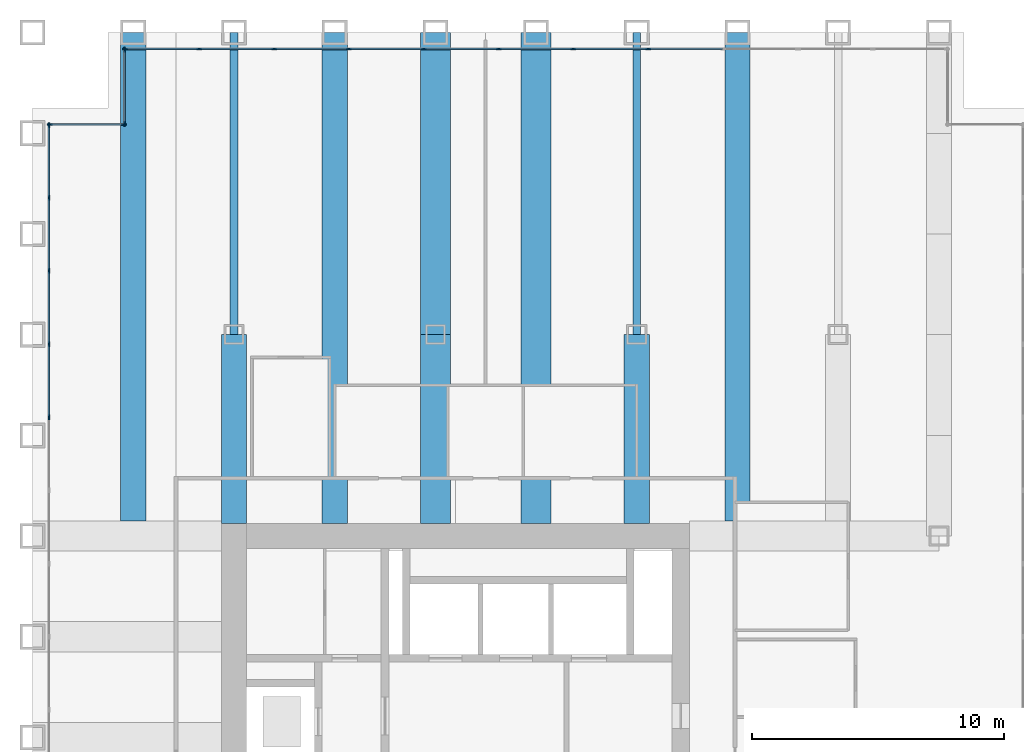
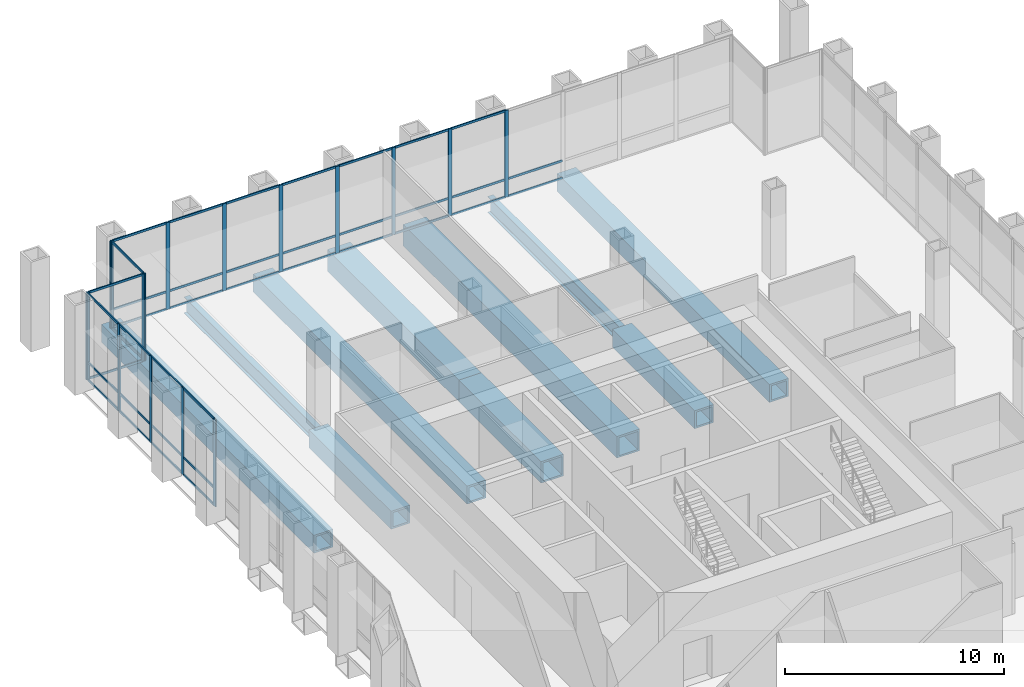
# One storey, part 6 of 13: 56 members, 10 beams, 4 elements without a shape of their own.
"""IFC4 building model written with IfcOpenShell, lengths in metres."""

from ifc_helpers import new_model, si_unit, direction, frame, origin, origin_2d, place, context, subcontext, project, spatial, rectangle, hollow_rectangle, i_section, extrude, material, material_profile, profile_set, type_object, element, aggregate, save


model = new_model("IFC4")

# Units and contexts
model_context = context("Model", 3, precision=1e-05, world=origin(), true_north=direction((0.0, 1.0)))
body_context = subcontext(model_context, "Body", "Model", "MODEL_VIEW")
ifc_project = project(units=[si_unit("LENGTHUNIT", "METRE"), si_unit("AREAUNIT", "SQUARE_METRE"), si_unit("VOLUMEUNIT", "CUBIC_METRE"), si_unit("PLANEANGLEUNIT", "RADIAN"), si_unit("MASSUNIT", "GRAM", prefix="KILO")], contexts=[model_context])

# Site, building, storey
site_placement = place(None, origin())
site = spatial("IfcSite", under=ifc_project, at=site_placement, CompositionType="ELEMENT")
building_placement = place(site_placement, origin())
building = spatial("IfcBuilding", under=site, at=building_placement, Name="Rimbunsela Tower", CompositionType="ELEMENT")
storey_placement = place(building_placement, frame((0.0, 0.0, 209.199951171875)))
storey = spatial("IfcBuildingStorey", under=building, at=storey_placement, Name="L50", CompositionType="ELEMENT", Elevation=209.199951171875)

# Beams
ifc_material_1 = material(Name="Steel BJ 55 (fy 410 MPa)", Category="steel")
ifc_material_profile_1 = material_profile(ifc_material_1, hollow_rectangle(XDim=1.0, YDim=1.0, WallThickness=0.10009765625, at=origin_2d()), Name="BOX 1000x1000x100")
ifc_profile_set_1 = profile_set([ifc_material_profile_1], Name="Steel BJ 55 (fy 410 MPa)")
beam_type_1 = type_object("IfcBeamType", Name="Beam BOX 1000x1000x100", PredefinedType="BEAM", material=ifc_profile_set_1)
beam_1_placement = place(storey_placement, frame((14.0, 36.60009765625, -0.64990234375), z_axis=(0.0, 1.0, 0.0), x_axis=(-1.0, 0.0, 0.0)))
element("IfcBeam", 1, at=beam_1_placement, inside=storey, type_object=beam_type_1, Name="Beam B3 L50", PredefinedType="BEAM", context=body_context, shape_type="SweptSolid", body=[
    extrude(hollow_rectangle(XDim=1.0, YDim=1.0, WallThickness=0.10009765625, at=origin_2d()), origin(), (0.0, 0.0, 1.0), 19.39990234375),
])
beam_2_placement = place(storey_placement, frame((18.0, 36.5, -0.64990234375), z_axis=(0.0, 1.0, 0.0), x_axis=(-1.0, 0.0, 0.0)))
element("IfcBeam", 2, at=beam_2_placement, inside=storey, type_object=beam_type_1, Name="Beam B3 L50", PredefinedType="BEAM", context=body_context, shape_type="SweptSolid", body=[
    extrude(hollow_rectangle(XDim=1.0, YDim=1.0, WallThickness=0.10009765625, at=origin_2d()), origin(), (0.0, 0.0, 1.0), 7.5),
])
beam_3_placement = place(storey_placement, frame((22.0, 36.5, -0.64990234375), z_axis=(0.0, 1.0, 0.0), x_axis=(-1.0, 0.0, 0.0)))
element("IfcBeam", 3, at=beam_3_placement, inside=storey, type_object=beam_type_1, Name="Beam B3 L50", PredefinedType="BEAM", context=body_context, shape_type="SweptSolid", body=[
    extrude(hollow_rectangle(XDim=1.0, YDim=1.0, WallThickness=0.10009765625, at=origin_2d()), origin(), (0.0, 0.0, 1.0), 19.5),
])
beam_4_placement = place(storey_placement, frame((34.0, 36.5, -0.64990234375), z_axis=(0.0, 1.0, 0.0), x_axis=(-1.0, 0.0, 0.0)))
element("IfcBeam", 4, at=beam_4_placement, inside=storey, type_object=beam_type_1, Name="Beam B3 L50", PredefinedType="BEAM", context=body_context, shape_type="SweptSolid", body=[
    extrude(hollow_rectangle(XDim=1.0, YDim=1.0, WallThickness=0.10009765625, at=origin_2d()), origin(), (0.0, 0.0, 1.0), 7.5),
])
beam_5_placement = place(storey_placement, frame((38.0, 36.60009765625, -0.64990234375), z_axis=(0.0, 1.0, 0.0), x_axis=(-1.0, 0.0, 0.0)))
element("IfcBeam", 5, at=beam_5_placement, inside=storey, type_object=beam_type_1, Name="Beam B3 L50", PredefinedType="BEAM", context=body_context, shape_type="SweptSolid", body=[
    extrude(hollow_rectangle(XDim=1.0, YDim=1.0, WallThickness=0.10009765625, at=origin_2d()), origin(), (0.0, 0.0, 1.0), 19.39990234375),
])
ifc_material_2 = material(Name="Steel BJ 55 (fy 410 MPa)", Category="steel")
ifc_material_profile_2 = material_profile(ifc_material_2, hollow_rectangle(XDim=1.199951171875, YDim=1.199951171875, WallThickness=0.10009765625, at=origin_2d()), Name="BOX 1200x1200x100")
ifc_profile_set_2 = profile_set([ifc_material_profile_2], Name="Steel BJ 55 (fy 410 MPa)")
beam_type_2 = type_object("IfcBeamType", Name="Beam BOX 1200x1200x100", PredefinedType="BEAM", material=ifc_profile_set_2)
beam_6_placement = place(storey_placement, frame((26.0, 36.5, -0.75), z_axis=(0.0, 1.0, 0.0), x_axis=(-1.0, 0.0, 0.0)))
element("IfcBeam", 6, at=beam_6_placement, inside=storey, type_object=beam_type_2, Name="Beam B5 L50", PredefinedType="BEAM", context=body_context, shape_type="SweptSolid", body=[
    extrude(hollow_rectangle(XDim=1.199951171875, YDim=1.199951171875, WallThickness=0.10009765625, at=origin_2d()), origin(), (0.0, 0.0, 1.0), 7.5),
])
beam_7_placement = place(storey_placement, frame((26.0, 44.0, -0.75), z_axis=(0.0, 1.0, 0.0), x_axis=(-1.0, 0.0, 0.0)))
element("IfcBeam", 7, at=beam_7_placement, inside=storey, type_object=beam_type_2, Name="Beam B5 L50", PredefinedType="BEAM", context=body_context, shape_type="SweptSolid", body=[
    extrude(hollow_rectangle(XDim=1.199951171875, YDim=1.199951171875, WallThickness=0.10009765625, at=origin_2d()), origin(), (0.0, 0.0, 1.0), 12.0),
])
beam_8_placement = place(storey_placement, frame((30.0, 36.5, -0.75), z_axis=(0.0, 1.0, 0.0), x_axis=(-1.0, 0.0, 0.0)))
element("IfcBeam", 8, at=beam_8_placement, inside=storey, type_object=beam_type_2, Name="Beam B5 L50", PredefinedType="BEAM", context=body_context, shape_type="SweptSolid", body=[
    extrude(hollow_rectangle(XDim=1.199951171875, YDim=1.199951171875, WallThickness=0.10009765625, at=origin_2d()), origin(), (0.0, 0.0, 1.0), 19.5),
])
ifc_material_3 = material(Name="Steel BJ 55 (fy 410 MPa)", Category="steel")
ifc_material_profile_3 = material_profile(ifc_material_3, i_section(OverallWidth=0.300048828125, OverallDepth=0.89990234375, WebThickness=0.01611328125, FlangeThickness=0.028076171875, FilletRadius=0.028076171875, at=origin_2d()), Name="H 900x300x16x28")
ifc_profile_set_3 = profile_set([ifc_material_profile_3], Name="Steel BJ 55 (fy 410 MPa)")
beam_type_3 = type_object("IfcBeamType", Name="Beam H 900x300x16x28", PredefinedType="BEAM", material=ifc_profile_set_3)
for number, where, z_axis, x_axis, name in (
    (9, (18.0, 44.0, -0.599853515625), (0.0, 1.0, 0.0), (-1.0, 0.0, 0.0), "Beam B2 L50"),
    (10, (34.0, 44.0, -0.599853515625), (0.0, 1.0, 0.0), (-1.0, 0.0, 0.0), "Beam B2 L50"),
):
    element("IfcBeam", number, at=place(storey_placement, frame(where, z_axis=z_axis, x_axis=x_axis)), inside=storey, type_object=beam_type_3, Name=name, PredefinedType="BEAM", context=body_context, shape_type="SweptSolid", body=[
        extrude(i_section(OverallWidth=0.300048828125, OverallDepth=0.89990234375, WebThickness=0.01611328125, FlangeThickness=0.028076171875, FilletRadius=0.028076171875, at=origin_2d()), origin(), (0.0, 0.0, 1.0), 12.0),
    ])

# Curtain wall, members
ifc_material_4 = material(Name="Aluminium curtain wall", Category="aluminium")
curtain_wall_type_1 = type_object("IfcCurtainWallType", Name="Sky lobby glazing", PredefinedType="USERDEFINED", material=ifc_material_4)
curtain_wall_1_placement = place(storey_placement, origin())
curtain_wall_1 = element("IfcCurtainWall", 11, at=curtain_wall_1_placement, inside=storey, type_object=curtain_wall_type_1, Name="Sky lobby glazing L50", ObjectType="SKY LOBBY GLAZING", PredefinedType="USERDEFINED")
ifc_material_5 = material(Name="Aluminium mullion", Category="aluminium")
ifc_material_profile_4 = material_profile(ifc_material_5, rectangle(XDim=0.06005859375, YDim=0.199951171875, at=origin_2d()), Name="Mullion 60x200")
ifc_profile_set_4 = profile_set([ifc_material_profile_4], Name="Aluminium mullion")
member_type_1 = type_object("IfcMemberType", Name="Curtain wall mullion 60x200", PredefinedType="MULLION", material=ifc_profile_set_4)
member_1_placement = place(storey_placement, frame((34.458984375, 55.35009765625, 0.0), z_axis=(0.0, 0.0, 1.0), x_axis=(0.0, -1.0, 0.0)))
member_1 = element("IfcMember", 12, at=member_1_placement, type_object=member_type_1, Name="CW4 mullion 5", PredefinedType="MULLION", context=body_context, shape_type="SweptSolid", body=[
    extrude(rectangle(XDim=0.06005859375, YDim=0.199951171875, at=origin_2d()), origin(), (0.0, 0.0, 1.0), 4.85009765625),
])
member_2_placement = place(storey_placement, frame((31.486328125, 55.35009765625, 0.0), z_axis=(0.0, 0.0, 1.0), x_axis=(0.0, -1.0, 0.0)))
member_2 = element("IfcMember", 13, at=member_2_placement, type_object=member_type_1, Name="CW4 mullion 6", PredefinedType="MULLION", context=body_context, shape_type="SweptSolid", body=[
    extrude(rectangle(XDim=0.06005859375, YDim=0.199951171875, at=origin_2d()), origin(), (0.0, 0.0, 1.0), 4.85009765625),
])
member_3_placement = place(storey_placement, frame((28.513671875, 55.35009765625, 0.0), z_axis=(0.0, 0.0, 1.0), x_axis=(0.0, -1.0, 0.0)))
member_3 = element("IfcMember", 14, at=member_3_placement, type_object=member_type_1, Name="CW4 mullion 7", PredefinedType="MULLION", context=body_context, shape_type="SweptSolid", body=[
    extrude(rectangle(XDim=0.06005859375, YDim=0.199951171875, at=origin_2d()), origin(), (0.0, 0.0, 1.0), 4.85009765625),
])
member_4_placement = place(storey_placement, frame((25.541015625, 55.35009765625, 0.0), z_axis=(0.0, 0.0, 1.0), x_axis=(0.0, -1.0, 0.0)))
member_4 = element("IfcMember", 15, at=member_4_placement, type_object=member_type_1, Name="CW4 mullion 8", PredefinedType="MULLION", context=body_context, shape_type="SweptSolid", body=[
    extrude(rectangle(XDim=0.06005859375, YDim=0.199951171875, at=origin_2d()), origin(), (0.0, 0.0, 1.0), 4.85009765625),
])
member_5_placement = place(storey_placement, frame((22.568115234375, 55.35009765625, 0.0), z_axis=(0.0, 0.0, 1.0), x_axis=(0.0, -1.0, 0.0)))
member_5 = element("IfcMember", 16, at=member_5_placement, type_object=member_type_1, Name="CW4 mullion 9", PredefinedType="MULLION", context=body_context, shape_type="SweptSolid", body=[
    extrude(rectangle(XDim=0.06005859375, YDim=0.199951171875, at=origin_2d()), origin(), (0.0, 0.0, 1.0), 4.85009765625),
])
member_6_placement = place(storey_placement, frame((19.595458984375, 55.35009765625, 0.0), z_axis=(0.0, 0.0, 1.0), x_axis=(0.0, -1.0, 0.0)))
member_6 = element("IfcMember", 17, at=member_6_placement, type_object=member_type_1, Name="CW4 mullion 10", PredefinedType="MULLION", context=body_context, shape_type="SweptSolid", body=[
    extrude(rectangle(XDim=0.06005859375, YDim=0.199951171875, at=origin_2d()), origin(), (0.0, 0.0, 1.0), 4.85009765625),
])
member_7_placement = place(storey_placement, frame((16.622802734375, 55.35009765625, 0.0), z_axis=(0.0, 0.0, 1.0), x_axis=(0.0, -1.0, 0.0)))
member_7 = element("IfcMember", 18, at=member_7_placement, type_object=member_type_1, Name="CW4 mullion 11", PredefinedType="MULLION", context=body_context, shape_type="SweptSolid", body=[
    extrude(rectangle(XDim=0.06005859375, YDim=0.199951171875, at=origin_2d()), origin(), (0.0, 0.0, 1.0), 4.85009765625),
])
member_8_placement = place(storey_placement, frame((13.679931640625, 55.35009765625, 0.0), z_axis=(0.0, 0.0, 1.0), x_axis=(0.0, -1.0, 0.0)))
member_8 = element("IfcMember", 19, at=member_8_placement, type_object=member_type_1, Name="CW4 mullion 12", PredefinedType="MULLION", context=body_context, shape_type="SweptSolid", body=[
    extrude(rectangle(XDim=0.06005859375, YDim=0.199951171875, at=origin_2d()), origin(), (0.0, 0.0, 1.0), 4.85009765625),
])

ifc_material_6 = material(Name="Aluminium curtain wall", Category="aluminium")
curtain_wall_type_2 = type_object("IfcCurtainWallType", Name="Corner glazing", PredefinedType="USERDEFINED", material=ifc_material_6)
curtain_wall_2_placement = place(storey_placement, origin())
curtain_wall_2 = element("IfcCurtainWall", 20, at=curtain_wall_2_placement, inside=storey, type_object=curtain_wall_type_2, Name="Corner glazing L50", ObjectType="CORNER GLAZING", PredefinedType="USERDEFINED")
member_9_placement = place(storey_placement, frame((13.64990234375, 55.320068359375, 0.0), z_axis=(0.0, 0.0, 1.0), x_axis=(1.0, 0.0, 0.0)))
member_9 = element("IfcMember", 21, at=member_9_placement, type_object=member_type_1, Name="CW5 mullion 1", PredefinedType="MULLION", context=body_context, shape_type="SweptSolid", body=[
    extrude(rectangle(XDim=0.06005859375, YDim=0.199951171875, at=origin_2d()), origin(), (0.0, 0.0, 1.0), 4.85009765625),
])
member_10_placement = place(storey_placement, frame((13.64990234375, 52.3798828125, 0.0), z_axis=(0.0, 0.0, 1.0), x_axis=(1.0, 0.0, 0.0)))
member_10 = element("IfcMember", 22, at=member_10_placement, type_object=member_type_1, Name="CW5 mullion 2", PredefinedType="MULLION", context=body_context, shape_type="SweptSolid", body=[
    extrude(rectangle(XDim=0.06005859375, YDim=0.199951171875, at=origin_2d()), origin(), (0.0, 0.0, 1.0), 4.85009765625),
])

curtain_wall_3_placement = place(storey_placement, origin())
curtain_wall_3 = element("IfcCurtainWall", 23, at=curtain_wall_3_placement, inside=storey, type_object=curtain_wall_type_2, Name="Corner glazing L50", ObjectType="CORNER GLAZING", PredefinedType="USERDEFINED")
member_11_placement = place(storey_placement, frame((13.6201171875, 52.35009765625, 0.0), z_axis=(0.0, 0.0, 1.0), x_axis=(0.0, -1.0, 0.0)))
member_11 = element("IfcMember", 24, at=member_11_placement, type_object=member_type_1, Name="CW5 mullion 1", PredefinedType="MULLION", context=body_context, shape_type="SweptSolid", body=[
    extrude(rectangle(XDim=0.06005859375, YDim=0.199951171875, at=origin_2d()), origin(), (0.0, 0.0, 1.0), 4.85009765625),
])
member_12_placement = place(storey_placement, frame((10.679931640625, 52.35009765625, 0.0), z_axis=(0.0, 0.0, 1.0), x_axis=(0.0, -1.0, 0.0)))
member_12 = element("IfcMember", 25, at=member_12_placement, type_object=member_type_1, Name="CW5 mullion 2", PredefinedType="MULLION", context=body_context, shape_type="SweptSolid", body=[
    extrude(rectangle(XDim=0.06005859375, YDim=0.199951171875, at=origin_2d()), origin(), (0.0, 0.0, 1.0), 4.85009765625),
])

curtain_wall_4_placement = place(storey_placement, origin())
curtain_wall_4 = element("IfcCurtainWall", 26, at=curtain_wall_4_placement, inside=storey, type_object=curtain_wall_type_1, Name="Sky lobby glazing L50", ObjectType="SKY LOBBY GLAZING", PredefinedType="USERDEFINED")
member_13_placement = place(storey_placement, frame((10.64990234375, 52.320068359375, 0.0), z_axis=(0.0, 0.0, 1.0), x_axis=(1.0, 0.0, 0.0)))
member_13 = element("IfcMember", 27, at=member_13_placement, type_object=member_type_1, Name="CW4 mullion 1", PredefinedType="MULLION", context=body_context, shape_type="SweptSolid", body=[
    extrude(rectangle(XDim=0.06005859375, YDim=0.199951171875, at=origin_2d()), origin(), (0.0, 0.0, 1.0), 4.85009765625),
])
member_14_placement = place(storey_placement, frame((10.64990234375, 49.44287109375, 0.0), z_axis=(0.0, 0.0, 1.0), x_axis=(1.0, 0.0, 0.0)))
member_14 = element("IfcMember", 28, at=member_14_placement, type_object=member_type_1, Name="CW4 mullion 2", PredefinedType="MULLION", context=body_context, shape_type="SweptSolid", body=[
    extrude(rectangle(XDim=0.06005859375, YDim=0.199951171875, at=origin_2d()), origin(), (0.0, 0.0, 1.0), 4.85009765625),
])
member_15_placement = place(storey_placement, frame((10.64990234375, 46.53564453125, 0.0), z_axis=(0.0, 0.0, 1.0), x_axis=(1.0, 0.0, 0.0)))
member_15 = element("IfcMember", 29, at=member_15_placement, type_object=member_type_1, Name="CW4 mullion 3", PredefinedType="MULLION", context=body_context, shape_type="SweptSolid", body=[
    extrude(rectangle(XDim=0.06005859375, YDim=0.199951171875, at=origin_2d()), origin(), (0.0, 0.0, 1.0), 4.85009765625),
])
member_16_placement = place(storey_placement, frame((10.64990234375, 43.628662109375, 0.0), z_axis=(0.0, 0.0, 1.0), x_axis=(1.0, 0.0, 0.0)))
member_16 = element("IfcMember", 30, at=member_16_placement, type_object=member_type_1, Name="CW4 mullion 4", PredefinedType="MULLION", context=body_context, shape_type="SweptSolid", body=[
    extrude(rectangle(XDim=0.06005859375, YDim=0.199951171875, at=origin_2d()), origin(), (0.0, 0.0, 1.0), 4.85009765625),
])
member_17_placement = place(storey_placement, frame((10.64990234375, 40.721435546875, 0.0), z_axis=(0.0, 0.0, 1.0), x_axis=(1.0, 0.0, 0.0)))
member_17 = element("IfcMember", 31, at=member_17_placement, type_object=member_type_1, Name="CW4 mullion 5", PredefinedType="MULLION", context=body_context, shape_type="SweptSolid", body=[
    extrude(rectangle(XDim=0.06005859375, YDim=0.199951171875, at=origin_2d()), origin(), (0.0, 0.0, 1.0), 4.85009765625),
])

# Member
ifc_material_7 = material(Name="Aluminium transom", Category="aluminium")
ifc_material_profile_5 = material_profile(ifc_material_7, rectangle(XDim=0.06005859375, YDim=0.1201171875, at=origin_2d()), Name="Transom 60x120")
ifc_profile_set_5 = profile_set([ifc_material_profile_5], Name="Aluminium transom")
member_type_2 = type_object("IfcMemberType", Name="Curtain wall transom 60x120", PredefinedType="USERDEFINED", material=ifc_profile_set_5)
member_18_placement = place(storey_placement, frame((37.40185546875, 55.35009765625, 0.030029296875), z_axis=(-1.0, 0.0, 0.0), x_axis=(0.0, -1.0, 0.0)))
member_18 = element("IfcMember", 32, at=member_18_placement, type_object=member_type_2, Name="CW4 transom 4.1", ObjectType="TRANSOM", PredefinedType="USERDEFINED", context=body_context, shape_type="SweptSolid", body=[
    extrude(rectangle(XDim=0.06005859375, YDim=0.1201171875, at=origin_2d()), origin(), (0.0, 0.0, 1.0), 2.912841796875),
])

member_19_placement = place(storey_placement, frame((37.40185546875, 55.35009765625, 1.0), z_axis=(-1.0, 0.0, 0.0), x_axis=(0.0, -1.0, 0.0)))
member_19 = element("IfcMember", 33, at=member_19_placement, type_object=member_type_2, Name="CW4 transom 4.2", ObjectType="TRANSOM", PredefinedType="USERDEFINED", context=body_context, shape_type="SweptSolid", body=[
    extrude(rectangle(XDim=0.06005859375, YDim=0.1201171875, at=origin_2d()), origin(), (0.0, 0.0, 1.0), 2.912841796875),
])

member_20_placement = place(storey_placement, frame((34.42919921875, 55.35009765625, 0.030029296875), z_axis=(-1.0, 0.0, 0.0), x_axis=(0.0, -1.0, 0.0)))
member_20 = element("IfcMember", 34, at=member_20_placement, type_object=member_type_2, Name="CW4 transom 5.1", ObjectType="TRANSOM", PredefinedType="USERDEFINED", context=body_context, shape_type="SweptSolid", body=[
    extrude(rectangle(XDim=0.06005859375, YDim=0.1201171875, at=origin_2d()), origin(), (0.0, 0.0, 1.0), 2.912841796875),
])

member_21_placement = place(storey_placement, frame((34.42919921875, 55.35009765625, 1.0), z_axis=(-1.0, 0.0, 0.0), x_axis=(0.0, -1.0, 0.0)))
member_21 = element("IfcMember", 35, at=member_21_placement, type_object=member_type_2, Name="CW4 transom 5.2", ObjectType="TRANSOM", PredefinedType="USERDEFINED", context=body_context, shape_type="SweptSolid", body=[
    extrude(rectangle(XDim=0.06005859375, YDim=0.1201171875, at=origin_2d()), origin(), (0.0, 0.0, 1.0), 2.912841796875),
])

member_22_placement = place(storey_placement, frame((34.42919921875, 55.35009765625, 4.820068359375), z_axis=(-1.0, 0.0, 0.0), x_axis=(0.0, -1.0, 0.0)))
member_22 = element("IfcMember", 36, at=member_22_placement, type_object=member_type_2, Name="CW4 transom 5.3", ObjectType="TRANSOM", PredefinedType="USERDEFINED", context=body_context, shape_type="SweptSolid", body=[
    extrude(rectangle(XDim=0.06005859375, YDim=0.1201171875, at=origin_2d()), origin(), (0.0, 0.0, 1.0), 2.912841796875),
])

member_23_placement = place(storey_placement, frame((31.456298828125, 55.35009765625, 0.030029296875), z_axis=(-1.0, 0.0, 0.0), x_axis=(0.0, -1.0, 0.0)))
member_23 = element("IfcMember", 37, at=member_23_placement, type_object=member_type_2, Name="CW4 transom 6.1", ObjectType="TRANSOM", PredefinedType="USERDEFINED", context=body_context, shape_type="SweptSolid", body=[
    extrude(rectangle(XDim=0.06005859375, YDim=0.1201171875, at=origin_2d()), origin(), (0.0, 0.0, 1.0), 2.91259765625),
])

member_24_placement = place(storey_placement, frame((31.456298828125, 55.35009765625, 1.0), z_axis=(-1.0, 0.0, 0.0), x_axis=(0.0, -1.0, 0.0)))
member_24 = element("IfcMember", 38, at=member_24_placement, type_object=member_type_2, Name="CW4 transom 6.2", ObjectType="TRANSOM", PredefinedType="USERDEFINED", context=body_context, shape_type="SweptSolid", body=[
    extrude(rectangle(XDim=0.06005859375, YDim=0.1201171875, at=origin_2d()), origin(), (0.0, 0.0, 1.0), 2.91259765625),
])

member_25_placement = place(storey_placement, frame((31.456298828125, 55.35009765625, 4.820068359375), z_axis=(-1.0, 0.0, 0.0), x_axis=(0.0, -1.0, 0.0)))
member_25 = element("IfcMember", 39, at=member_25_placement, type_object=member_type_2, Name="CW4 transom 6.3", ObjectType="TRANSOM", PredefinedType="USERDEFINED", context=body_context, shape_type="SweptSolid", body=[
    extrude(rectangle(XDim=0.06005859375, YDim=0.1201171875, at=origin_2d()), origin(), (0.0, 0.0, 1.0), 2.91259765625),
])

member_26_placement = place(storey_placement, frame((28.483642578125, 55.35009765625, 0.030029296875), z_axis=(-1.0, 0.0, 0.0), x_axis=(0.0, -1.0, 0.0)))
member_26 = element("IfcMember", 40, at=member_26_placement, type_object=member_type_2, Name="CW4 transom 7.1", ObjectType="TRANSOM", PredefinedType="USERDEFINED", context=body_context, shape_type="SweptSolid", body=[
    extrude(rectangle(XDim=0.06005859375, YDim=0.1201171875, at=origin_2d()), origin(), (0.0, 0.0, 1.0), 2.912841796875),
])

member_27_placement = place(storey_placement, frame((28.483642578125, 55.35009765625, 1.0), z_axis=(-1.0, 0.0, 0.0), x_axis=(0.0, -1.0, 0.0)))
member_27 = element("IfcMember", 41, at=member_27_placement, type_object=member_type_2, Name="CW4 transom 7.2", ObjectType="TRANSOM", PredefinedType="USERDEFINED", context=body_context, shape_type="SweptSolid", body=[
    extrude(rectangle(XDim=0.06005859375, YDim=0.1201171875, at=origin_2d()), origin(), (0.0, 0.0, 1.0), 2.912841796875),
])

member_28_placement = place(storey_placement, frame((28.483642578125, 55.35009765625, 4.820068359375), z_axis=(-1.0, 0.0, 0.0), x_axis=(0.0, -1.0, 0.0)))
member_28 = element("IfcMember", 42, at=member_28_placement, type_object=member_type_2, Name="CW4 transom 7.3", ObjectType="TRANSOM", PredefinedType="USERDEFINED", context=body_context, shape_type="SweptSolid", body=[
    extrude(rectangle(XDim=0.06005859375, YDim=0.1201171875, at=origin_2d()), origin(), (0.0, 0.0, 1.0), 2.912841796875),
])

member_29_placement = place(storey_placement, frame((25.510986328125, 55.35009765625, 0.030029296875), z_axis=(-1.0, 0.0, 0.0), x_axis=(0.0, -1.0, 0.0)))
member_29 = element("IfcMember", 43, at=member_29_placement, type_object=member_type_2, Name="CW4 transom 8.1", ObjectType="TRANSOM", PredefinedType="USERDEFINED", context=body_context, shape_type="SweptSolid", body=[
    extrude(rectangle(XDim=0.06005859375, YDim=0.1201171875, at=origin_2d()), origin(), (0.0, 0.0, 1.0), 2.912841796875),
])

member_30_placement = place(storey_placement, frame((25.510986328125, 55.35009765625, 1.0), z_axis=(-1.0, 0.0, 0.0), x_axis=(0.0, -1.0, 0.0)))
member_30 = element("IfcMember", 44, at=member_30_placement, type_object=member_type_2, Name="CW4 transom 8.2", ObjectType="TRANSOM", PredefinedType="USERDEFINED", context=body_context, shape_type="SweptSolid", body=[
    extrude(rectangle(XDim=0.06005859375, YDim=0.1201171875, at=origin_2d()), origin(), (0.0, 0.0, 1.0), 2.912841796875),
])

member_31_placement = place(storey_placement, frame((25.510986328125, 55.35009765625, 4.820068359375), z_axis=(-1.0, 0.0, 0.0), x_axis=(0.0, -1.0, 0.0)))
member_31 = element("IfcMember", 45, at=member_31_placement, type_object=member_type_2, Name="CW4 transom 8.3", ObjectType="TRANSOM", PredefinedType="USERDEFINED", context=body_context, shape_type="SweptSolid", body=[
    extrude(rectangle(XDim=0.06005859375, YDim=0.1201171875, at=origin_2d()), origin(), (0.0, 0.0, 1.0), 2.912841796875),
])

member_32_placement = place(storey_placement, frame((22.5380859375, 55.35009765625, 0.030029296875), z_axis=(-1.0, 0.0, 0.0), x_axis=(0.0, -1.0, 0.0)))
member_32 = element("IfcMember", 46, at=member_32_placement, type_object=member_type_2, Name="CW4 transom 9.1", ObjectType="TRANSOM", PredefinedType="USERDEFINED", context=body_context, shape_type="SweptSolid", body=[
    extrude(rectangle(XDim=0.06005859375, YDim=0.1201171875, at=origin_2d()), origin(), (0.0, 0.0, 1.0), 2.91259765625),
])

member_33_placement = place(storey_placement, frame((22.5380859375, 55.35009765625, 1.0), z_axis=(-1.0, 0.0, 0.0), x_axis=(0.0, -1.0, 0.0)))
member_33 = element("IfcMember", 47, at=member_33_placement, type_object=member_type_2, Name="CW4 transom 9.2", ObjectType="TRANSOM", PredefinedType="USERDEFINED", context=body_context, shape_type="SweptSolid", body=[
    extrude(rectangle(XDim=0.06005859375, YDim=0.1201171875, at=origin_2d()), origin(), (0.0, 0.0, 1.0), 2.91259765625),
])

member_34_placement = place(storey_placement, frame((22.5380859375, 55.35009765625, 4.820068359375), z_axis=(-1.0, 0.0, 0.0), x_axis=(0.0, -1.0, 0.0)))
member_34 = element("IfcMember", 48, at=member_34_placement, type_object=member_type_2, Name="CW4 transom 9.3", ObjectType="TRANSOM", PredefinedType="USERDEFINED", context=body_context, shape_type="SweptSolid", body=[
    extrude(rectangle(XDim=0.06005859375, YDim=0.1201171875, at=origin_2d()), origin(), (0.0, 0.0, 1.0), 2.91259765625),
])

member_35_placement = place(storey_placement, frame((19.5654296875, 55.35009765625, 0.030029296875), z_axis=(-1.0, 0.0, 0.0), x_axis=(0.0, -1.0, 0.0)))
member_35 = element("IfcMember", 49, at=member_35_placement, type_object=member_type_2, Name="CW4 transom 10.1", ObjectType="TRANSOM", PredefinedType="USERDEFINED", context=body_context, shape_type="SweptSolid", body=[
    extrude(rectangle(XDim=0.06005859375, YDim=0.1201171875, at=origin_2d()), origin(), (0.0, 0.0, 1.0), 2.91259765625),
])

member_36_placement = place(storey_placement, frame((19.5654296875, 55.35009765625, 1.0), z_axis=(-1.0, 0.0, 0.0), x_axis=(0.0, -1.0, 0.0)))
member_36 = element("IfcMember", 50, at=member_36_placement, type_object=member_type_2, Name="CW4 transom 10.2", ObjectType="TRANSOM", PredefinedType="USERDEFINED", context=body_context, shape_type="SweptSolid", body=[
    extrude(rectangle(XDim=0.06005859375, YDim=0.1201171875, at=origin_2d()), origin(), (0.0, 0.0, 1.0), 2.91259765625),
])

member_37_placement = place(storey_placement, frame((19.5654296875, 55.35009765625, 4.820068359375), z_axis=(-1.0, 0.0, 0.0), x_axis=(0.0, -1.0, 0.0)))
member_37 = element("IfcMember", 51, at=member_37_placement, type_object=member_type_2, Name="CW4 transom 10.3", ObjectType="TRANSOM", PredefinedType="USERDEFINED", context=body_context, shape_type="SweptSolid", body=[
    extrude(rectangle(XDim=0.06005859375, YDim=0.1201171875, at=origin_2d()), origin(), (0.0, 0.0, 1.0), 2.91259765625),
])

member_38_placement = place(storey_placement, frame((16.5927734375, 55.35009765625, 0.030029296875), z_axis=(-1.0, 0.0, 0.0), x_axis=(0.0, -1.0, 0.0)))
member_38 = element("IfcMember", 52, at=member_38_placement, type_object=member_type_2, Name="CW4 transom 11.1", ObjectType="TRANSOM", PredefinedType="USERDEFINED", context=body_context, shape_type="SweptSolid", body=[
    extrude(rectangle(XDim=0.06005859375, YDim=0.1201171875, at=origin_2d()), origin(), (0.0, 0.0, 1.0), 2.8828125),
])

member_39_placement = place(storey_placement, frame((16.5927734375, 55.35009765625, 1.0), z_axis=(-1.0, 0.0, 0.0), x_axis=(0.0, -1.0, 0.0)))
member_39 = element("IfcMember", 53, at=member_39_placement, type_object=member_type_2, Name="CW4 transom 11.2", ObjectType="TRANSOM", PredefinedType="USERDEFINED", context=body_context, shape_type="SweptSolid", body=[
    extrude(rectangle(XDim=0.06005859375, YDim=0.1201171875, at=origin_2d()), origin(), (0.0, 0.0, 1.0), 2.8828125),
])

member_40_placement = place(storey_placement, frame((16.5927734375, 55.35009765625, 4.820068359375), z_axis=(-1.0, 0.0, 0.0), x_axis=(0.0, -1.0, 0.0)))
member_40 = element("IfcMember", 54, at=member_40_placement, type_object=member_type_2, Name="CW4 transom 11.3", ObjectType="TRANSOM", PredefinedType="USERDEFINED", context=body_context, shape_type="SweptSolid", body=[
    extrude(rectangle(XDim=0.06005859375, YDim=0.1201171875, at=origin_2d()), origin(), (0.0, 0.0, 1.0), 2.8828125),
])

aggregate(curtain_wall_1, [member_1, member_2, member_3, member_4, member_5, member_6, member_7, member_8, member_18, member_19, member_20, member_21, member_22, member_23, member_24, member_25, member_26, member_27, member_28, member_29, member_30, member_31, member_32, member_33, member_34, member_35, member_36, member_37, member_38, member_39, member_40])

member_41_placement = place(storey_placement, frame((13.64990234375, 55.2900390625, 0.030029296875), z_axis=(0.0, -1.0, 0.0), x_axis=(1.0, 0.0, 0.0)))
member_41 = element("IfcMember", 55, at=member_41_placement, type_object=member_type_2, Name="CW5 transom 1.1", ObjectType="TRANSOM", PredefinedType="USERDEFINED", context=body_context, shape_type="SweptSolid", body=[
    extrude(rectangle(XDim=0.06005859375, YDim=0.1201171875, at=origin_2d()), origin(), (0.0, 0.0, 1.0), 2.880126953125),
])

member_42_placement = place(storey_placement, frame((13.64990234375, 55.2900390625, 4.820068359375), z_axis=(0.0, -1.0, 0.0), x_axis=(1.0, 0.0, 0.0)))
member_42 = element("IfcMember", 56, at=member_42_placement, type_object=member_type_2, Name="CW5 transom 1.2", ObjectType="TRANSOM", PredefinedType="USERDEFINED", context=body_context, shape_type="SweptSolid", body=[
    extrude(rectangle(XDim=0.06005859375, YDim=0.1201171875, at=origin_2d()), origin(), (0.0, 0.0, 1.0), 2.880126953125),
])

aggregate(curtain_wall_2, [member_9, member_10, member_41, member_42])

member_43_placement = place(storey_placement, frame((13.590087890625, 52.35009765625, 0.030029296875), z_axis=(-1.0, 0.0, 0.0), x_axis=(0.0, -1.0, 0.0)))
member_43 = element("IfcMember", 57, at=member_43_placement, type_object=member_type_2, Name="CW5 transom 1.1", ObjectType="TRANSOM", PredefinedType="USERDEFINED", context=body_context, shape_type="SweptSolid", body=[
    extrude(rectangle(XDim=0.06005859375, YDim=0.1201171875, at=origin_2d()), origin(), (0.0, 0.0, 1.0), 2.880126953125),
])

member_44_placement = place(storey_placement, frame((13.590087890625, 52.35009765625, 4.820068359375), z_axis=(-1.0, 0.0, 0.0), x_axis=(0.0, -1.0, 0.0)))
member_44 = element("IfcMember", 58, at=member_44_placement, type_object=member_type_2, Name="CW5 transom 1.2", ObjectType="TRANSOM", PredefinedType="USERDEFINED", context=body_context, shape_type="SweptSolid", body=[
    extrude(rectangle(XDim=0.06005859375, YDim=0.1201171875, at=origin_2d()), origin(), (0.0, 0.0, 1.0), 2.880126953125),
])

aggregate(curtain_wall_3, [member_11, member_12, member_43, member_44])

member_45_placement = place(storey_placement, frame((10.64990234375, 52.2900390625, 0.030029296875), z_axis=(0.0, -1.0, 0.0), x_axis=(1.0, 0.0, 0.0)))
member_45 = element("IfcMember", 59, at=member_45_placement, type_object=member_type_2, Name="CW4 transom 1.1", ObjectType="TRANSOM", PredefinedType="USERDEFINED", context=body_context, shape_type="SweptSolid", body=[
    extrude(rectangle(XDim=0.06005859375, YDim=0.1201171875, at=origin_2d()), origin(), (0.0, 0.0, 1.0), 2.817138671875),
])

member_46_placement = place(storey_placement, frame((10.64990234375, 52.2900390625, 1.0), z_axis=(0.0, -1.0, 0.0), x_axis=(1.0, 0.0, 0.0)))
member_46 = element("IfcMember", 60, at=member_46_placement, type_object=member_type_2, Name="CW4 transom 1.2", ObjectType="TRANSOM", PredefinedType="USERDEFINED", context=body_context, shape_type="SweptSolid", body=[
    extrude(rectangle(XDim=0.06005859375, YDim=0.1201171875, at=origin_2d()), origin(), (0.0, 0.0, 1.0), 2.817138671875),
])

member_47_placement = place(storey_placement, frame((10.64990234375, 52.2900390625, 4.820068359375), z_axis=(0.0, -1.0, 0.0), x_axis=(1.0, 0.0, 0.0)))
member_47 = element("IfcMember", 61, at=member_47_placement, type_object=member_type_2, Name="CW4 transom 1.3", ObjectType="TRANSOM", PredefinedType="USERDEFINED", context=body_context, shape_type="SweptSolid", body=[
    extrude(rectangle(XDim=0.06005859375, YDim=0.1201171875, at=origin_2d()), origin(), (0.0, 0.0, 1.0), 2.817138671875),
])

member_48_placement = place(storey_placement, frame((10.64990234375, 49.412841796875, 0.030029296875), z_axis=(0.0, -1.0, 0.0), x_axis=(1.0, 0.0, 0.0)))
member_48 = element("IfcMember", 62, at=member_48_placement, type_object=member_type_2, Name="CW4 transom 2.1", ObjectType="TRANSOM", PredefinedType="USERDEFINED", context=body_context, shape_type="SweptSolid", body=[
    extrude(rectangle(XDim=0.06005859375, YDim=0.1201171875, at=origin_2d()), origin(), (0.0, 0.0, 1.0), 2.84716796875),
])

member_49_placement = place(storey_placement, frame((10.64990234375, 49.412841796875, 1.0), z_axis=(0.0, -1.0, 0.0), x_axis=(1.0, 0.0, 0.0)))
member_49 = element("IfcMember", 63, at=member_49_placement, type_object=member_type_2, Name="CW4 transom 2.2", ObjectType="TRANSOM", PredefinedType="USERDEFINED", context=body_context, shape_type="SweptSolid", body=[
    extrude(rectangle(XDim=0.06005859375, YDim=0.1201171875, at=origin_2d()), origin(), (0.0, 0.0, 1.0), 2.84716796875),
])

member_50_placement = place(storey_placement, frame((10.64990234375, 49.412841796875, 4.820068359375), z_axis=(0.0, -1.0, 0.0), x_axis=(1.0, 0.0, 0.0)))
member_50 = element("IfcMember", 64, at=member_50_placement, type_object=member_type_2, Name="CW4 transom 2.3", ObjectType="TRANSOM", PredefinedType="USERDEFINED", context=body_context, shape_type="SweptSolid", body=[
    extrude(rectangle(XDim=0.06005859375, YDim=0.1201171875, at=origin_2d()), origin(), (0.0, 0.0, 1.0), 2.84716796875),
])

member_51_placement = place(storey_placement, frame((10.64990234375, 46.505615234375, 0.030029296875), z_axis=(0.0, -1.0, 0.0), x_axis=(1.0, 0.0, 0.0)))
member_51 = element("IfcMember", 65, at=member_51_placement, type_object=member_type_2, Name="CW4 transom 3.1", ObjectType="TRANSOM", PredefinedType="USERDEFINED", context=body_context, shape_type="SweptSolid", body=[
    extrude(rectangle(XDim=0.06005859375, YDim=0.1201171875, at=origin_2d()), origin(), (0.0, 0.0, 1.0), 2.846923828125),
])

member_52_placement = place(storey_placement, frame((10.64990234375, 46.505615234375, 1.0), z_axis=(0.0, -1.0, 0.0), x_axis=(1.0, 0.0, 0.0)))
member_52 = element("IfcMember", 66, at=member_52_placement, type_object=member_type_2, Name="CW4 transom 3.2", ObjectType="TRANSOM", PredefinedType="USERDEFINED", context=body_context, shape_type="SweptSolid", body=[
    extrude(rectangle(XDim=0.06005859375, YDim=0.1201171875, at=origin_2d()), origin(), (0.0, 0.0, 1.0), 2.846923828125),
])

member_53_placement = place(storey_placement, frame((10.64990234375, 46.505615234375, 4.820068359375), z_axis=(0.0, -1.0, 0.0), x_axis=(1.0, 0.0, 0.0)))
member_53 = element("IfcMember", 67, at=member_53_placement, type_object=member_type_2, Name="CW4 transom 3.3", ObjectType="TRANSOM", PredefinedType="USERDEFINED", context=body_context, shape_type="SweptSolid", body=[
    extrude(rectangle(XDim=0.06005859375, YDim=0.1201171875, at=origin_2d()), origin(), (0.0, 0.0, 1.0), 2.846923828125),
])

member_54_placement = place(storey_placement, frame((10.64990234375, 43.5986328125, 0.030029296875), z_axis=(0.0, -1.0, 0.0), x_axis=(1.0, 0.0, 0.0)))
member_54 = element("IfcMember", 68, at=member_54_placement, type_object=member_type_2, Name="CW4 transom 4.1", ObjectType="TRANSOM", PredefinedType="USERDEFINED", context=body_context, shape_type="SweptSolid", body=[
    extrude(rectangle(XDim=0.06005859375, YDim=0.1201171875, at=origin_2d()), origin(), (0.0, 0.0, 1.0), 2.84716796875),
])

member_55_placement = place(storey_placement, frame((10.64990234375, 43.5986328125, 1.0), z_axis=(0.0, -1.0, 0.0), x_axis=(1.0, 0.0, 0.0)))
member_55 = element("IfcMember", 69, at=member_55_placement, type_object=member_type_2, Name="CW4 transom 4.2", ObjectType="TRANSOM", PredefinedType="USERDEFINED", context=body_context, shape_type="SweptSolid", body=[
    extrude(rectangle(XDim=0.06005859375, YDim=0.1201171875, at=origin_2d()), origin(), (0.0, 0.0, 1.0), 2.84716796875),
])

member_56_placement = place(storey_placement, frame((10.64990234375, 43.5986328125, 4.820068359375), z_axis=(0.0, -1.0, 0.0), x_axis=(1.0, 0.0, 0.0)))
member_56 = element("IfcMember", 70, at=member_56_placement, type_object=member_type_2, Name="CW4 transom 4.3", ObjectType="TRANSOM", PredefinedType="USERDEFINED", context=body_context, shape_type="SweptSolid", body=[
    extrude(rectangle(XDim=0.06005859375, YDim=0.1201171875, at=origin_2d()), origin(), (0.0, 0.0, 1.0), 2.84716796875),
])

aggregate(curtain_wall_4, [member_13, member_14, member_15, member_16, member_17, member_45, member_46, member_47, member_48, member_49, member_50, member_51, member_52, member_53, member_54, member_55, member_56])

save(model, "model.ifc")
